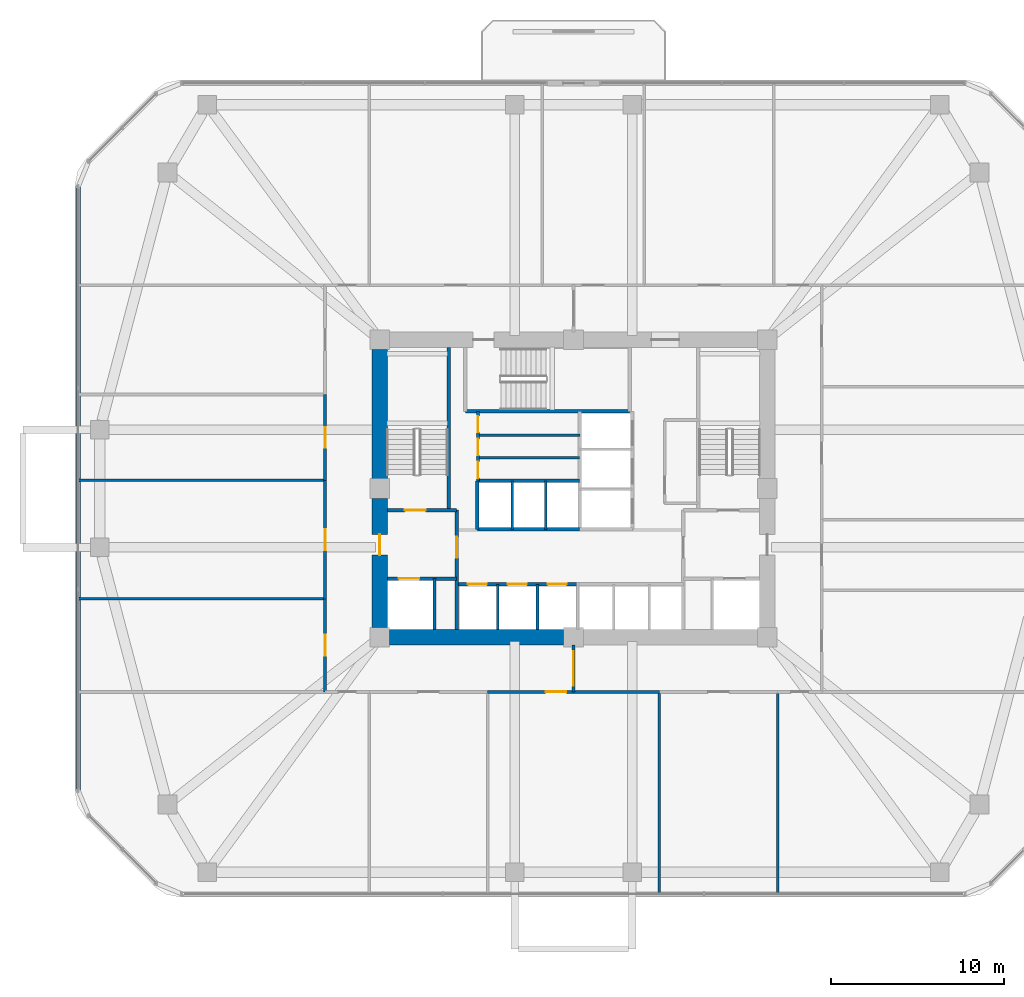
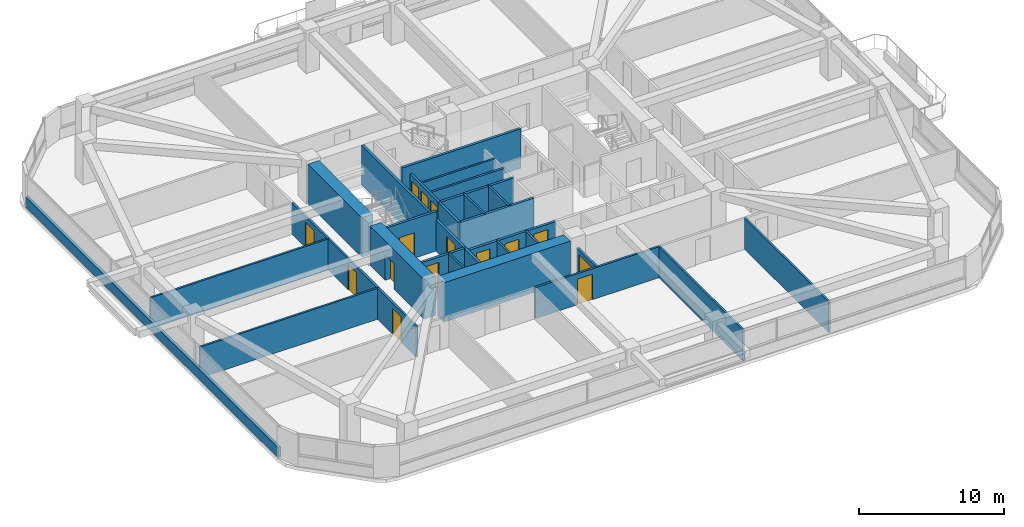
# One storey, part 9 of 14: 30 walls, 15 doors, 15 openings.
"""IFC4 building model written with IfcOpenShell, lengths in metres."""

from ifc_helpers import new_model, si_unit, derived_unit, direction, frame, frame_2d, origin, place, context, subcontext, project, spatial, rectangle, extrude, material, layer, layer_set, type_object, element, fill, save


model = new_model("IFC4")

# Units and contexts
model_context = context("Model", 3, precision=1e-05, world=origin(), true_north=direction((0.0, 1.0)))
body_context = subcontext(model_context, "Body", "Model", "MODEL_VIEW")
ifc_project = project(units=[si_unit("LENGTHUNIT", "METRE"), si_unit("AREAUNIT", "SQUARE_METRE"), si_unit("VOLUMEUNIT", "CUBIC_METRE"), si_unit("PLANEANGLEUNIT", "RADIAN"), si_unit("MASSUNIT", "GRAM", prefix="KILO"), derived_unit("THERMALTRANSMITTANCEUNIT", [(si_unit("POWERUNIT", "WATT"), 1), (si_unit("LENGTHUNIT", "METRE"), -2), (si_unit("THERMODYNAMICTEMPERATUREUNIT", "KELVIN"), -1)])], contexts=[model_context])

# Site, building, storey
site_placement = place(None, origin())
site = spatial("IfcSite", under=ifc_project, at=site_placement, CompositionType="ELEMENT")
building_placement = place(site_placement, origin())
building = spatial("IfcBuilding", under=site, at=building_placement, Name="Koralith Skygarden Medical Center", CompositionType="ELEMENT")
storey_placement = place(building_placement, frame((0.0, 0.0, 45.5400390625)))
storey = spatial("IfcBuildingStorey", under=building, at=storey_placement, Name="L11", CompositionType="ELEMENT", Elevation=45.5400390625)

# Walls
ifc_material_1 = material(Name="Gypsum Board Partition")
ifc_layer_1 = layer(ifc_material_1, 0.14990234375)
ifc_layer_set_1 = layer_set([ifc_layer_1], Name="Gypsum Board Partition")
wall_type_1 = type_object("IfcWallType", Name="Clinical Acoustic Partition 150", PredefinedType="PARTITIONING", material=ifc_layer_set_1)
wall_1_placement = place(storey_placement, frame((31.47998046875, 28.97998046875, 0.0), z_axis=(0.0, 0.0, 1.0), x_axis=(1.0, 0.0, 0.0)))
element("IfcWall", 1, at=wall_1_placement, inside=storey, type_object=wall_type_1, Name="L11 Clinical Acoustic Partition 150 W-CORE-L11-FLEX-H1B", PredefinedType="PARTITIONING", context=body_context, shape_type="SweptSolid", body=[
    extrude(rectangle(XDim=5.89013671875, YDim=0.14990234375, at=frame_2d((2.945068359375, 0.0))), origin(), (0.0, 0.0, 1.0), 2.60986328125),
])
for number, where, z_axis, x_axis, name in (
    (2, (41.964111328125, 14.14990234375, 0.0), (0.0, 0.0, 1.0), (0.0, -1.0, 0.0), "L11 Clinical Acoustic Partition 150 W-PART-L11-S-03"),
    (3, (48.800048828125, 14.14990234375, 0.0), (0.0, 0.0, 1.0), (0.0, -1.0, 0.0), "L11 Clinical Acoustic Partition 150 W-PART-L11-S-04"),
):
    element("IfcWall", number, at=place(storey_placement, frame(where, z_axis=z_axis, x_axis=x_axis)), inside=storey, type_object=wall_type_1, Name=name, PredefinedType="PARTITIONING", context=body_context, shape_type="SweptSolid", body=[
        extrude(rectangle(XDim=11.64990234375, YDim=0.14990234375, at=frame_2d((5.824951171875, 0.0))), origin(), (0.0, 0.0, 1.0), 2.60986328125),
    ])
for number, where, z_axis, x_axis, name in (
    (4, (22.64990234375, 19.527099609375, 0.0), (0.0, 0.0, 1.0), (-1.0, 0.0, 0.0), "L11 Clinical Acoustic Partition 150 W-PART-L11-W-01"),
    (5, (22.64990234375, 26.3701171875, 0.0), (0.0, 0.0, 1.0), (-1.0, 0.0, 0.0), "L11 Clinical Acoustic Partition 150 W-PART-L11-W-02"),
):
    element("IfcWall", number, at=place(storey_placement, frame(where, z_axis=z_axis, x_axis=x_axis)), inside=storey, type_object=wall_type_1, Name=name, PredefinedType="PARTITIONING", context=body_context, shape_type="SweptSolid", body=[
        extrude(rectangle(XDim=14.25, YDim=0.14990234375, at=frame_2d((7.125, 0.0))), origin(), (0.0, 0.0, 1.0), 2.60986328125),
    ])

# Wall, opening, door
ifc_layer_2 = layer(ifc_material_1, 0.1650390625)
ifc_layer_set_2 = layer_set([ifc_layer_2], Name="Gypsum Board Partition")
wall_type_2 = type_object("IfcWallType", Name="Clinical Corridor Partition 165", PredefinedType="PARTITIONING", material=ifc_layer_set_2)
wall_2_placement = place(storey_placement, frame((32.035888671875, 14.14990234375, 0.0), z_axis=(0.0, 0.0, 1.0), x_axis=(1.0, 0.0, 0.0)))
wall_2 = element("IfcWall", 6, at=wall_2_placement, inside=storey, type_object=wall_type_2, Name="L11 Clinical Corridor Partition 165 W-CORR-L11-S-03", PredefinedType="PARTITIONING", context=body_context, shape_type="SweptSolid", body=[
    extrude(rectangle(XDim=9.92822265625, YDim=0.1650390625, at=frame_2d((4.964111328125, 0.0))), origin(), (0.0, 0.0, 1.0), 2.60986328125),
])
opening_1_placement = place(wall_2_placement, frame((3.35791015625, 0.0, 0.0)))
opening_1 = element("IfcOpeningElement", 7, at=opening_1_placement, cuts=wall_2, Name="Opening D-CLN", PredefinedType="OPENING", context=body_context, shape_type="SweptSolid", body=[
    extrude(rectangle(XDim=1.199951171875, YDim=2.14990234375, at=frame_2d((0.60009765625, 1.074951171875))), frame((0.0, 0.092529296875, 0.0), z_axis=(0.0, -1.0, 0.0), x_axis=(1.0, 0.0, 0.0)), (0.0, 0.0, 1.0), 0.18505859375),
])
ifc_material_2 = material(Name="Aluminium 6063-T6", Category="aluminium")
door_type_1 = type_object("IfcDoorType", Name="Clinical Corridor Door D-CLN 1200", OperationType="NOTDEFINED", PredefinedType="DOOR", material=ifc_material_2)
door_1_placement = place(opening_1_placement, frame((1.199951171875, 0.0, 0.0), z_axis=(0.0, 0.0, 1.0), x_axis=(-1.0, 0.0, 0.0)))
door_1 = element("IfcDoor", 8, at=door_1_placement, inside=storey, type_object=door_type_1, Name="L11 Clean Linen Supply Store 08 Door", OperationType="SINGLE_SWING_LEFT", OverallHeight=2.14990234375, OverallWidth=1.199951171875, PredefinedType="DOOR", context=body_context, shape_type="SweptSolid", body=[
    extrude(rectangle(XDim=1.199951171875, YDim=2.14990234375, at=frame_2d((0.60009765625, 1.074951171875))), frame((0.0, 0.02490234375, 0.0), z_axis=(0.0, -1.0, 0.0), x_axis=(1.0, 0.0, 0.0)), (0.0, 0.0, 1.0), 0.050048828125),
])
fill(opening_1, door_1)

wall_3_placement = place(storey_placement, frame((22.64990234375, 14.14990234375, 0.0), z_axis=(0.0, 0.0, 1.0), x_axis=(0.0, 1.0, 0.0)))
wall_3 = element("IfcWall", 9, at=wall_3_placement, inside=storey, type_object=wall_type_2, Name="L11 Clinical Corridor Partition 165 W-CORR-L11-W-01", PredefinedType="PARTITIONING", context=body_context, shape_type="SweptSolid", body=[
    extrude(rectangle(XDim=5.377197265625, YDim=0.1650390625, at=frame_2d((2.6884765625, 0.0))), origin(), (0.0, 0.0, 1.0), 2.60986328125),
])
opening_2_placement = place(wall_3_placement, frame((2.089111328125, 0.0, 0.0)))
opening_2 = element("IfcOpeningElement", 10, at=opening_2_placement, cuts=wall_3, Name="Opening D-CLN", PredefinedType="OPENING", context=body_context, shape_type="SweptSolid", body=[
    extrude(rectangle(XDim=1.199951171875, YDim=2.14990234375, at=frame_2d((0.60009765625, 1.074951171875))), frame((0.0, 0.092529296875, 0.0), z_axis=(0.0, -1.0, 0.0), x_axis=(1.0, 0.0, 0.0)), (0.0, 0.0, 1.0), 0.18505859375),
])
door_2_placement = place(opening_2_placement, frame((1.199951171875, 0.0, 0.0), z_axis=(0.0, 0.0, 1.0), x_axis=(-1.0, 0.0, 0.0)))
door_2 = element("IfcDoor", 11, at=door_2_placement, inside=storey, type_object=door_type_1, Name="L11 Outpatient Triage Exam Room 11 Door", OperationType="SINGLE_SWING_RIGHT", OverallHeight=2.14990234375, OverallWidth=1.199951171875, PredefinedType="DOOR", context=body_context, shape_type="SweptSolid", body=[
    extrude(rectangle(XDim=1.199951171875, YDim=2.14990234375, at=frame_2d((0.60009765625, 1.074951171875))), frame((0.0, 0.02490234375, 0.0), z_axis=(0.0, -1.0, 0.0), x_axis=(1.0, 0.0, 0.0)), (0.0, 0.0, 1.0), 0.050048828125),
])
fill(opening_2, door_2)

wall_4_placement = place(storey_placement, frame((22.64990234375, 19.527099609375, 0.0), z_axis=(0.0, 0.0, 1.0), x_axis=(0.0, 1.0, 0.0)))
wall_4 = element("IfcWall", 12, at=wall_4_placement, inside=storey, type_object=wall_type_2, Name="L11 Clinical Corridor Partition 165 W-CORR-L11-W-02", PredefinedType="PARTITIONING", context=body_context, shape_type="SweptSolid", body=[
    extrude(rectangle(XDim=6.843017578125, YDim=0.1650390625, at=frame_2d((3.42138671875, 0.0))), origin(), (0.0, 0.0, 1.0), 2.60986328125),
])
opening_3_placement = place(wall_4_placement, frame((2.821044921875, 0.0, 0.0)))
opening_3 = element("IfcOpeningElement", 13, at=opening_3_placement, cuts=wall_4, Name="Opening D-CLN", PredefinedType="OPENING", context=body_context, shape_type="SweptSolid", body=[
    extrude(rectangle(XDim=1.199951171875, YDim=2.14990234375, at=frame_2d((0.60009765625, 1.074951171875))), frame((0.0, 0.092529296875, 0.0), z_axis=(0.0, -1.0, 0.0), x_axis=(1.0, 0.0, 0.0)), (0.0, 0.0, 1.0), 0.18505859375),
])
door_3_placement = place(opening_3_placement, frame((1.199951171875, 0.0, 0.0), z_axis=(0.0, 0.0, 1.0), x_axis=(-1.0, 0.0, 0.0)))
door_3 = element("IfcDoor", 14, at=door_3_placement, inside=storey, type_object=door_type_1, Name="L11 Clean Linen Supply Store 12 Door", OperationType="SINGLE_SWING_LEFT", OverallHeight=2.14990234375, OverallWidth=1.199951171875, PredefinedType="DOOR", context=body_context, shape_type="SweptSolid", body=[
    extrude(rectangle(XDim=1.199951171875, YDim=2.14990234375, at=frame_2d((0.60009765625, 1.074951171875))), frame((0.0, 0.02490234375, 0.0), z_axis=(0.0, -1.0, 0.0), x_axis=(1.0, 0.0, 0.0)), (0.0, 0.0, 1.0), 0.050048828125),
])
fill(opening_3, door_3)

wall_5_placement = place(storey_placement, frame((22.64990234375, 26.3701171875, 0.0), z_axis=(0.0, 0.0, 1.0), x_axis=(0.0, 1.0, 0.0)))
wall_5 = element("IfcWall", 15, at=wall_5_placement, inside=storey, type_object=wall_type_2, Name="L11 Clinical Corridor Partition 165 W-CORR-L11-W-03", PredefinedType="PARTITIONING", context=body_context, shape_type="SweptSolid", body=[
    extrude(rectangle(XDim=4.962890625, YDim=0.1650390625, at=frame_2d((2.4814453125, 0.0))), origin(), (0.0, 0.0, 1.0), 2.60986328125),
])
opening_4_placement = place(wall_5_placement, frame((1.881103515625, 0.0, 0.0)))
opening_4 = element("IfcOpeningElement", 16, at=opening_4_placement, cuts=wall_5, Name="Opening D-CLN", PredefinedType="OPENING", context=body_context, shape_type="SweptSolid", body=[
    extrude(rectangle(XDim=1.199951171875, YDim=2.14990234375, at=frame_2d((0.60009765625, 1.074951171875))), frame((0.0, 0.092529296875, 0.0), z_axis=(0.0, -1.0, 0.0), x_axis=(1.0, 0.0, 0.0)), (0.0, 0.0, 1.0), 0.18505859375),
])
door_4_placement = place(opening_4_placement, frame((1.199951171875, 0.0, 0.0), z_axis=(0.0, 0.0, 1.0), x_axis=(-1.0, 0.0, 0.0)))
door_4 = element("IfcDoor", 17, at=door_4_placement, inside=storey, type_object=door_type_1, Name="L11 Clinical Consultation Office 13 Door", OperationType="SINGLE_SWING_RIGHT", OverallHeight=2.14990234375, OverallWidth=1.199951171875, PredefinedType="DOOR", context=body_context, shape_type="SweptSolid", body=[
    extrude(rectangle(XDim=1.199951171875, YDim=2.14990234375, at=frame_2d((0.60009765625, 1.074951171875))), frame((0.0, 0.02490234375, 0.0), z_axis=(0.0, -1.0, 0.0), x_axis=(1.0, 0.0, 0.0)), (0.0, 0.0, 1.0), 0.050048828125),
])
fill(opening_4, door_4)

ifc_layer_3 = layer(ifc_material_1, 0.199951171875)
ifc_layer_set_3 = layer_set([ifc_layer_3], Name="Gypsum Board Partition")
wall_type_3 = type_object("IfcWallType", Name="Fire Shaft Wall 200", PredefinedType="SOLIDWALL", material=ifc_layer_set_3)
wall_6_placement = place(storey_placement, frame((26.25, 20.699951171875, 0.0), z_axis=(0.0, 0.0, 1.0), x_axis=(1.0, 0.0, 0.0)))
wall_6 = element("IfcWall", 18, at=wall_6_placement, inside=storey, type_object=wall_type_3, Name="L11 Fire Shaft Wall 200 W-CORE-L11-FF1-N", PredefinedType="SOLIDWALL", context=body_context, shape_type="SweptSolid", body=[
    extrude(rectangle(XDim=4.0, YDim=0.199951171875, at=frame_2d((2.0, 0.0))), origin(), (0.0, 0.0, 1.0), 2.60986328125),
])
opening_5_placement = place(wall_6_placement, frame((0.64990234375, 0.0, 0.0)))
opening_5 = element("IfcOpeningElement", 19, at=opening_5_placement, cuts=wall_6, Name="Opening LD-FF", PredefinedType="OPENING", context=body_context, shape_type="SweptSolid", body=[
    extrude(rectangle(XDim=1.199951171875, YDim=2.14990234375, at=frame_2d((0.60009765625, 1.074951171875))), frame((0.0, 0.10986328125, 0.0), z_axis=(0.0, -1.0, 0.0), x_axis=(1.0, 0.0, 0.0)), (0.0, 0.0, 1.0), 0.219970703125),
])
ifc_material_3 = material(Name="Steel ASTM A500 Grade C", Category="steel")
door_type_2 = type_object("IfcDoorType", Name="Fire Lift Sliding Landing Door LD-FF 1200", OperationType="NOTDEFINED", PredefinedType="DOOR", material=ifc_material_3)
door_5_placement = place(opening_5_placement, origin())
door_5 = element("IfcDoor", 20, at=door_5_placement, inside=storey, type_object=door_type_2, Name="L11 Fire Service Elevator FF1 Landing Door", OperationType="SLIDING_TO_LEFT", OverallHeight=2.14990234375, OverallWidth=1.199951171875, PredefinedType="DOOR", context=body_context, shape_type="SweptSolid", body=[
    extrude(rectangle(XDim=1.199951171875, YDim=2.14990234375, at=frame_2d((0.60009765625, 1.074951171875))), frame((0.0, 0.02490234375, 0.0), z_axis=(0.0, -1.0, 0.0), x_axis=(1.0, 0.0, 0.0)), (0.0, 0.0, 1.0), 0.050048828125),
])
fill(opening_5, door_5)

wall_7_placement = place(storey_placement, frame((30.25, 17.75, 0.0), z_axis=(0.0, 0.0, 1.0), x_axis=(0.0, 1.0, 0.0)))
wall_7 = element("IfcWall", 21, at=wall_7_placement, inside=storey, type_object=wall_type_3, Name="L11 Fire Shaft Wall 200 W-CORE-L11-FSAEW-E", PredefinedType="SOLIDWALL", context=body_context, shape_type="SweptSolid", body=[
    extrude(rectangle(XDim=6.89990234375, YDim=0.199951171875, at=frame_2d((3.449951171875, 0.0))), origin(), (0.0, 0.0, 1.0), 2.60986328125),
])
opening_6_placement = place(wall_7_placement, frame((4.14990234375, 0.0, 0.0)))
opening_6 = element("IfcOpeningElement", 22, at=opening_6_placement, cuts=wall_7, Name="Opening D-ST60", PredefinedType="OPENING", context=body_context, shape_type="SweptSolid", body=[
    extrude(rectangle(XDim=1.199951171875, YDim=2.14990234375, at=frame_2d((0.60009765625, 1.074951171875))), frame((0.0, 0.10986328125, 0.0), z_axis=(0.0, -1.0, 0.0), x_axis=(1.0, 0.0, 0.0)), (0.0, 0.0, 1.0), 0.219970703125),
])
door_type_3 = type_object("IfcDoorType", Name="Smokeproof Stair Fire Door FD60S 1200", OperationType="NOTDEFINED", PredefinedType="DOOR", material=ifc_material_3)
door_6_placement = place(opening_6_placement, origin())
door_6 = element("IfcDoor", 23, at=door_6_placement, inside=storey, type_object=door_type_3, Name="L11 West Firefighting Lobby Inner Fire Door", OperationType="SINGLE_SWING_LEFT", OverallHeight=2.14990234375, OverallWidth=1.199951171875, PredefinedType="DOOR", context=body_context, shape_type="SweptSolid", body=[
    extrude(rectangle(XDim=1.199951171875, YDim=2.14990234375, at=frame_2d((0.60009765625, 1.074951171875))), frame((0.0, 0.02490234375, 0.0), z_axis=(0.0, -1.0, 0.0), x_axis=(1.0, 0.0, 0.0)), (0.0, 0.0, 1.0), 0.050048828125),
])
fill(opening_6, door_6)

# Wall, openings, doors
wall_8_placement = place(storey_placement, frame((30.25, 20.360107421875, 0.0), z_axis=(0.0, 0.0, 1.0), x_axis=(1.0, 0.0, 0.0)))
wall_8 = element("IfcWall", 24, at=wall_8_placement, inside=storey, type_object=wall_type_3, Name="L11 Fire Shaft Wall 200 W-CORE-L11-PL-N", PredefinedType="SOLIDWALL", context=body_context, shape_type="SweptSolid", body=[
    extrude(rectangle(XDim=7.0, YDim=0.199951171875, at=frame_2d((3.5, 0.0))), origin(), (0.0, 0.0, 1.0), 2.60986328125),
])
opening_7_placement = place(wall_8_placement, frame((0.64990234375, 0.0, 0.0)))
opening_7 = element("IfcOpeningElement", 25, at=opening_7_placement, cuts=wall_8, Name="Opening LD-P", PredefinedType="OPENING", context=body_context, shape_type="SweptSolid", body=[
    extrude(rectangle(XDim=1.10009765625, YDim=2.14990234375, at=frame_2d((0.550048828125, 1.074951171875))), frame((0.0, 0.10986328125, 0.0), z_axis=(0.0, -1.0, 0.0), x_axis=(1.0, 0.0, 0.0)), (0.0, 0.0, 1.0), 0.219970703125),
])
opening_8_placement = place(wall_8_placement, frame((2.949951171875, 0.0, 0.0)))
opening_8 = element("IfcOpeningElement", 26, at=opening_8_placement, cuts=wall_8, Name="Opening LD-P", PredefinedType="OPENING", context=body_context, shape_type="SweptSolid", body=[
    extrude(rectangle(XDim=1.10009765625, YDim=2.14990234375, at=frame_2d((0.550048828125, 1.074951171875))), frame((0.0, 0.10986328125, 0.0), z_axis=(0.0, -1.0, 0.0), x_axis=(1.0, 0.0, 0.0)), (0.0, 0.0, 1.0), 0.219970703125),
])
opening_9_placement = place(wall_8_placement, frame((5.25, 0.0, 0.0)))
opening_9 = element("IfcOpeningElement", 27, at=opening_9_placement, cuts=wall_8, Name="Opening LD-P", PredefinedType="OPENING", context=body_context, shape_type="SweptSolid", body=[
    extrude(rectangle(XDim=1.10009765625, YDim=2.14990234375, at=frame_2d((0.550048828125, 1.074951171875))), frame((0.0, 0.10986328125, 0.0), z_axis=(0.0, -1.0, 0.0), x_axis=(1.0, 0.0, 0.0)), (0.0, 0.0, 1.0), 0.219970703125),
])
door_type_4 = type_object("IfcDoorType", Name="Passenger Lift Sliding Landing Door LD-P 1100", OperationType="NOTDEFINED", PredefinedType="DOOR", material=ifc_material_3)
door_7_placement = place(opening_7_placement, origin())
door_7 = element("IfcDoor", 28, at=door_7_placement, inside=storey, type_object=door_type_4, Name="L11 Passenger Elevator PL1 Landing Door", OperationType="SLIDING_TO_LEFT", OverallHeight=2.14990234375, OverallWidth=1.10009765625, PredefinedType="DOOR", context=body_context, shape_type="SweptSolid", body=[
    extrude(rectangle(XDim=1.10009765625, YDim=2.14990234375, at=frame_2d((0.550048828125, 1.074951171875))), frame((0.0, 0.02490234375, 0.0), z_axis=(0.0, -1.0, 0.0), x_axis=(1.0, 0.0, 0.0)), (0.0, 0.0, 1.0), 0.050048828125),
])
fill(opening_7, door_7)
door_8_placement = place(opening_8_placement, origin())
door_8 = element("IfcDoor", 29, at=door_8_placement, inside=storey, type_object=door_type_4, Name="L11 Passenger Elevator PL2 Landing Door", OperationType="SLIDING_TO_LEFT", OverallHeight=2.14990234375, OverallWidth=1.10009765625, PredefinedType="DOOR", context=body_context, shape_type="SweptSolid", body=[
    extrude(rectangle(XDim=1.10009765625, YDim=2.14990234375, at=frame_2d((0.550048828125, 1.074951171875))), frame((0.0, 0.02490234375, 0.0), z_axis=(0.0, -1.0, 0.0), x_axis=(1.0, 0.0, 0.0)), (0.0, 0.0, 1.0), 0.050048828125),
])
fill(opening_8, door_8)
door_9_placement = place(opening_9_placement, origin())
door_9 = element("IfcDoor", 30, at=door_9_placement, inside=storey, type_object=door_type_4, Name="L11 Passenger Elevator PL3 Landing Door", OperationType="SLIDING_TO_LEFT", OverallHeight=2.14990234375, OverallWidth=1.10009765625, PredefinedType="DOOR", context=body_context, shape_type="SweptSolid", body=[
    extrude(rectangle(XDim=1.10009765625, YDim=2.14990234375, at=frame_2d((0.550048828125, 1.074951171875))), frame((0.0, 0.02490234375, 0.0), z_axis=(0.0, -1.0, 0.0), x_axis=(1.0, 0.0, 0.0)), (0.0, 0.0, 1.0), 0.050048828125),
])
fill(opening_9, door_9)

# Walls
for number, where, z_axis, x_axis, name in (
    (31, (31.449951171875, 23.5400390625, 0.0), (0.0, 0.0, 1.0), (1.0, 0.0, 0.0), "L11 Fire Shaft Wall 200 W-CORE-L11-PH-S"),
    (32, (31.449951171875, 26.35009765625, 0.0), (0.0, 0.0, 1.0), (1.0, 0.0, 0.0), "L11 Fire Shaft Wall 200 W-CORE-L11-PH-N"),
):
    element("IfcWall", number, at=place(storey_placement, frame(where, z_axis=z_axis, x_axis=x_axis)), inside=storey, type_object=wall_type_3, Name=name, PredefinedType="SOLIDWALL", context=body_context, shape_type="SweptSolid", body=[
        extrude(rectangle(XDim=5.900146484375, YDim=0.199951171875, at=frame_2d((2.9501953125, 0.0))), origin(), (0.0, 0.0, 1.0), 2.60986328125),
    ])
wall_9_placement = place(storey_placement, frame((31.449951171875, 23.5400390625, 0.0), z_axis=(0.0, 0.0, 1.0), x_axis=(0.0, 1.0, 0.0)))
element("IfcWall", 33, at=wall_9_placement, inside=storey, type_object=wall_type_3, Name="L11 Fire Shaft Wall 200 W-CORE-L11-PH-W", PredefinedType="SOLIDWALL", context=body_context, shape_type="SweptSolid", body=[
    extrude(rectangle(XDim=2.81005859375, YDim=0.199951171875, at=frame_2d((1.405029296875, 0.0))), origin(), (0.0, 0.0, 1.0), 2.60986328125),
])

# Wall, opening, door
ifc_layer_4 = layer(ifc_material_1, 0.179931640625)
ifc_layer_set_4 = layer_set([ifc_layer_4], Name="Gypsum Board Partition")
wall_type_4 = type_object("IfcWallType", Name="Group I-2 Smoke Barrier Wall 180", PredefinedType="PARTITIONING", material=ifc_layer_set_4)
wall_10_placement = place(storey_placement, frame((37.0, 14.14990234375, 0.0), z_axis=(0.0, 0.0, 1.0), x_axis=(0.0, 1.0, 0.0)))
wall_10 = element("IfcWall", 34, at=wall_10_placement, inside=storey, type_object=wall_type_4, Name="L11 Group I-2 Smoke Barrier Wall 180 W-SMK-L11-S", PredefinedType="PARTITIONING", context=body_context, shape_type="SweptSolid", body=[
    extrude(rectangle(XDim=2.7001953125, YDim=0.179931640625, at=frame_2d((1.35009765625, 0.0))), origin(), (0.0, 0.0, 1.0), 2.60986328125),
])
opening_10_placement = place(wall_10_placement, frame((0.35009765625, 0.0, 0.0)))
opening_10 = element("IfcOpeningElement", 35, at=opening_10_placement, cuts=wall_10, Name="Opening D-SMK", PredefinedType="OPENING", context=body_context, shape_type="SweptSolid", body=[
    extrude(rectangle(XDim=2.0, YDim=2.199951171875, at=frame_2d((1.0, 1.10009765625))), frame((0.0, 0.099853515625, 0.0), z_axis=(0.0, -1.0, 0.0), x_axis=(1.0, 0.0, 0.0)), (0.0, 0.0, 1.0), 0.199951171875),
])
door_type_5 = type_object("IfcDoorType", Name="Cross-Corridor Double Smoke Door FD60S 2000", OperationType="NOTDEFINED", PredefinedType="DOOR", material=ifc_material_3)
door_10_placement = place(opening_10_placement, frame((2.0, 0.0, 0.0), z_axis=(0.0, 0.0, 1.0), x_axis=(-1.0, 0.0, 0.0)))
door_10 = element("IfcDoor", 36, at=door_10_placement, inside=storey, type_object=door_type_5, Name="L11 S Smoke Compartment Cross-Corridor Door", OperationType="DOUBLE_DOOR_SINGLE_SWING", OverallHeight=2.199951171875, OverallWidth=2.0, PredefinedType="DOOR", context=body_context, shape_type="SweptSolid", body=[
    extrude(rectangle(XDim=2.0, YDim=2.199951171875, at=frame_2d((1.0, 1.10009765625))), frame((0.0, 0.02490234375, 0.0), z_axis=(0.0, -1.0, 0.0), x_axis=(1.0, 0.0, 0.0)), (0.0, 0.0, 1.0), 0.050048828125),
])
fill(opening_10, door_10)

# Walls
ifc_material_4 = material(Name="Warm Oolitic Limestone Cladding", Category="masonry")
ifc_layer_5 = layer(ifc_material_4, 0.239990234375)
ifc_layer_set_5 = layer_set([ifc_layer_5], Name="Warm Oolitic Limestone Cladding")
wall_type_5 = type_object("IfcWallType", Name="Limestone Spandrel Sill Backup Wall 240", PredefinedType="SOLIDWALL", material=ifc_layer_set_5)
wall_11_placement = place(storey_placement, frame((8.3798828125, 43.344970703125, 0.0), z_axis=(0.0, 0.0, 1.0), x_axis=(0.0, -1.0, 0.0)))
element("IfcWall", 37, at=wall_11_placement, inside=storey, type_object=wall_type_5, Name="L11 Sill Spandrel W", PredefinedType="SOLIDWALL", context=body_context, shape_type="SweptSolid", body=[
    extrude(rectangle(XDim=34.889892578125, YDim=0.239990234375, at=frame_2d((17.44482421875, 0.0))), origin(), (0.0, 0.0, 1.0), 0.849853515625),
])
ifc_material_5 = material(Name="Concrete C70/85", Category="concrete")
ifc_layer_6 = layer(ifc_material_5, 0.89990234375)
ifc_layer_set_6 = layer_set([ifc_layer_6], Name="Concrete C70/85")
wall_type_6 = type_object("IfcWallType", Name="Lower Core Shear Wall 900", PredefinedType="SHEAR", material=ifc_layer_set_6)
wall_12_placement = place(storey_placement, frame((26.364990234375, 17.300048828125, 0.0), z_axis=(0.0, 0.0, 1.0), x_axis=(1.0, 0.0, 0.0)))
element("IfcWall", 38, at=wall_12_placement, inside=storey, type_object=wall_type_6, Name="L11 Core Shear Wall Segment 1", PredefinedType="SHEAR", context=body_context, shape_type="SweptSolid", body=[
    extrude(rectangle(XDim=10.070068359375, YDim=0.89990234375, at=frame_2d((5.03515625, 0.0))), origin(), (0.0, 0.0, 1.0), 3.320068359375),
])
wall_13_placement = place(storey_placement, frame((25.800048828125, 33.93505859375, 0.0), z_axis=(0.0, 0.0, 1.0), x_axis=(0.0, -1.0, 0.0)))
element("IfcWall", 39, at=wall_13_placement, inside=storey, type_object=wall_type_6, Name="L11 Core Shear Wall Segment 7", PredefinedType="SHEAR", context=body_context, shape_type="SweptSolid", body=[
    extrude(rectangle(XDim=7.469970703125, YDim=0.89990234375, at=frame_2d((3.73486328125, 0.0))), origin(), (0.0, 0.0, 1.0), 3.320068359375),
])

# Wall, opening, door
wall_14_placement = place(storey_placement, frame((25.800048828125, 25.3349609375, 0.0), z_axis=(0.0, 0.0, 1.0), x_axis=(0.0, -1.0, 0.0)))
wall_14 = element("IfcWall", 40, at=wall_14_placement, inside=storey, type_object=wall_type_6, Name="L11 Core Shear Wall Segment 8", PredefinedType="SHEAR", context=body_context, shape_type="SweptSolid", body=[
    extrude(rectangle(XDim=7.469970703125, YDim=0.89990234375, at=frame_2d((3.73486328125, 0.0))), origin(), (0.0, 0.0, 1.0), 3.320068359375),
])
opening_11_placement = place(wall_14_placement, frame((2.0849609375, 0.0, 0.0)))
opening_11 = element("IfcOpeningElement", 41, at=opening_11_placement, cuts=wall_14, Name="Opening D-ST60", PredefinedType="OPENING", context=body_context, shape_type="SweptSolid", body=[
    extrude(rectangle(XDim=1.199951171875, YDim=2.14990234375, at=frame_2d((0.60009765625, 1.074951171875))), frame((0.0, 0.4599609375, 0.0), z_axis=(0.0, -1.0, 0.0), x_axis=(1.0, 0.0, 0.0)), (0.0, 0.0, 1.0), 0.919921875),
])
door_11_placement = place(opening_11_placement, frame((1.199951171875, 0.0, 0.0), z_axis=(0.0, 0.0, 1.0), x_axis=(-1.0, 0.0, 0.0)))
door_11 = element("IfcDoor", 42, at=door_11_placement, inside=storey, type_object=door_type_3, Name="L11 West Corridor to Firefighting Lobby Door", OperationType="SINGLE_SWING_LEFT", OverallHeight=2.14990234375, OverallWidth=1.199951171875, PredefinedType="DOOR", context=body_context, shape_type="SweptSolid", body=[
    extrude(rectangle(XDim=1.199951171875, YDim=2.14990234375, at=frame_2d((0.60009765625, 1.074951171875))), frame((0.0, 0.02490234375, 0.0), z_axis=(0.0, -1.0, 0.0), x_axis=(1.0, 0.0, 0.0)), (0.0, 0.0, 1.0), 0.050048828125),
])
fill(opening_11, door_11)

# Wall, openings, doors
ifc_layer_7 = layer(ifc_material_1, 0.1650390625)
ifc_layer_set_7 = layer_set([ifc_layer_7], Name="Gypsum Board Partition")
wall_type_7 = type_object("IfcWallType", Name="Plumbing Wet Wall 165", PredefinedType="PLUMBINGWALL", material=ifc_layer_set_7)
wall_15_placement = place(storey_placement, frame((31.47998046875, 26.320068359375, 0.0), z_axis=(0.0, 0.0, 1.0), x_axis=(0.0, 1.0, 0.0)))
wall_15 = element("IfcWall", 43, at=wall_15_placement, inside=storey, type_object=wall_type_7, Name="L11 Plumbing Wet Wall 165 W-CORE-L11-FLEX-W", PredefinedType="PLUMBINGWALL", context=body_context, shape_type="SweptSolid", body=[
    extrude(rectangle(XDim=4.0400390625, YDim=0.1650390625, at=frame_2d((2.02001953125, 0.0))), origin(), (0.0, 0.0, 1.0), 2.60986328125),
])
opening_12_placement = place(wall_15_placement, frame((0.179931640625, 0.0, 0.0)))
opening_12 = element("IfcOpeningElement", 44, at=opening_12_placement, cuts=wall_15, Name="Opening D-WC", PredefinedType="OPENING", context=body_context, shape_type="SweptSolid", body=[
    extrude(rectangle(XDim=0.949951171875, YDim=2.10009765625, at=frame_2d((0.47509765625, 1.050048828125))), frame((0.0, 0.092529296875, 0.0), z_axis=(0.0, -1.0, 0.0), x_axis=(1.0, 0.0, 0.0)), (0.0, 0.0, 1.0), 0.18505859375),
])
opening_13_placement = place(wall_15_placement, frame((1.5, 0.0, 0.0)))
opening_13 = element("IfcOpeningElement", 45, at=opening_13_placement, cuts=wall_15, Name="Opening D-WC", PredefinedType="OPENING", context=body_context, shape_type="SweptSolid", body=[
    extrude(rectangle(XDim=0.949951171875, YDim=2.10009765625, at=frame_2d((0.47509765625, 1.050048828125))), frame((0.0, 0.092529296875, 0.0), z_axis=(0.0, -1.0, 0.0), x_axis=(1.0, 0.0, 0.0)), (0.0, 0.0, 1.0), 0.18505859375),
])
opening_14_placement = place(wall_15_placement, frame((2.820068359375, 0.0, 0.0)))
opening_14 = element("IfcOpeningElement", 46, at=opening_14_placement, cuts=wall_15, Name="Opening D-WC", PredefinedType="OPENING", context=body_context, shape_type="SweptSolid", body=[
    extrude(rectangle(XDim=0.949951171875, YDim=2.10009765625, at=frame_2d((0.47509765625, 1.050048828125))), frame((0.0, 0.092529296875, 0.0), z_axis=(0.0, -1.0, 0.0), x_axis=(1.0, 0.0, 0.0)), (0.0, 0.0, 1.0), 0.18505859375),
])
door_type_6 = type_object("IfcDoorType", Name="Accessible Toilet Door D-WC 950", OperationType="NOTDEFINED", PredefinedType="DOOR", material=ifc_material_2)
door_12_placement = place(opening_12_placement, frame((0.949951171875, 0.0, 0.0), z_axis=(0.0, 0.0, 1.0), x_axis=(-1.0, 0.0, 0.0)))
door_12 = element("IfcDoor", 47, at=door_12_placement, inside=storey, type_object=door_type_6, Name="L11 Core Accessible WC Door", OperationType="SINGLE_SWING_LEFT", OverallHeight=2.10009765625, OverallWidth=0.949951171875, PredefinedType="DOOR", context=body_context, shape_type="SweptSolid", body=[
    extrude(rectangle(XDim=0.949951171875, YDim=2.10009765625, at=frame_2d((0.47509765625, 1.050048828125))), frame((0.0, 0.02490234375, 0.0), z_axis=(0.0, -1.0, 0.0), x_axis=(1.0, 0.0, 0.0)), (0.0, 0.0, 1.0), 0.050048828125),
])
fill(opening_12, door_12)
door_13_placement = place(opening_13_placement, frame((0.949951171875, 0.0, 0.0), z_axis=(0.0, 0.0, 1.0), x_axis=(-1.0, 0.0, 0.0)))
door_13 = element("IfcDoor", 48, at=door_13_placement, inside=storey, type_object=door_type_6, Name="L11 Staff Pantry Door", OperationType="SINGLE_SWING_LEFT", OverallHeight=2.10009765625, OverallWidth=0.949951171875, PredefinedType="DOOR", context=body_context, shape_type="SweptSolid", body=[
    extrude(rectangle(XDim=0.949951171875, YDim=2.10009765625, at=frame_2d((0.47509765625, 1.050048828125))), frame((0.0, 0.02490234375, 0.0), z_axis=(0.0, -1.0, 0.0), x_axis=(1.0, 0.0, 0.0)), (0.0, 0.0, 1.0), 0.050048828125),
])
fill(opening_13, door_13)
door_14_placement = place(opening_14_placement, frame((0.949951171875, 0.0, 0.0), z_axis=(0.0, 0.0, 1.0), x_axis=(-1.0, 0.0, 0.0)))
door_14 = element("IfcDoor", 49, at=door_14_placement, inside=storey, type_object=door_type_6, Name="L11 IT Comms Door", OperationType="SINGLE_SWING_RIGHT", OverallHeight=2.10009765625, OverallWidth=0.949951171875, PredefinedType="DOOR", context=body_context, shape_type="SweptSolid", body=[
    extrude(rectangle(XDim=0.949951171875, YDim=2.10009765625, at=frame_2d((0.47509765625, 1.050048828125))), frame((0.0, 0.02490234375, 0.0), z_axis=(0.0, -1.0, 0.0), x_axis=(1.0, 0.0, 0.0)), (0.0, 0.0, 1.0), 0.050048828125),
])
fill(opening_14, door_14)

# Walls
wall_16_placement = place(storey_placement, frame((31.47998046875, 27.679931640625, 0.0), z_axis=(0.0, 0.0, 1.0), x_axis=(1.0, 0.0, 0.0)))
element("IfcWall", 50, at=wall_16_placement, inside=storey, type_object=wall_type_7, Name="L11 Plumbing Wet Wall 165 W-CORE-L11-FLEX-H1A", PredefinedType="PLUMBINGWALL", context=body_context, shape_type="SweptSolid", body=[
    extrude(rectangle(XDim=5.8701171875, YDim=0.1650390625, at=frame_2d((2.93505859375, 0.0))), origin(), (0.0, 0.0, 1.0), 2.60986328125),
])
ifc_layer_8 = layer(ifc_material_1, 0.14990234375)
ifc_layer_set_8 = layer_set([ifc_layer_8], Name="Gypsum Board Partition")
wall_type_8 = type_object("IfcWallType", Name="Shaft Partition Wall 150", PredefinedType="PARTITIONING", material=ifc_layer_set_8)
wall_17_placement = place(storey_placement, frame((28.969970703125, 17.75, 0.0), z_axis=(0.0, 0.0, 1.0), x_axis=(0.0, 1.0, 0.0)))
element("IfcWall", 51, at=wall_17_placement, inside=storey, type_object=wall_type_8, Name="L11 Shaft Partition Wall 150 W-CORE-L11-RSRW-DIV", PredefinedType="PARTITIONING", context=body_context, shape_type="SweptSolid", body=[
    extrude(rectangle(XDim=2.949951171875, YDim=0.14990234375, at=frame_2d((1.47509765625, 0.0))), origin(), (0.0, 0.0, 1.0), 2.60986328125),
])
for number, where, z_axis, x_axis, name in (
    (52, (32.6201171875, 17.75, 0.0), (0.0, 0.0, 1.0), (0.0, 1.0, 0.0), "L11 Shaft Partition Wall 150 W-CORE-L11-PL-D1"),
    (53, (34.919921875, 17.75, 0.0), (0.0, 0.0, 1.0), (0.0, 1.0, 0.0), "L11 Shaft Partition Wall 150 W-CORE-L11-PL-D2"),
):
    element("IfcWall", number, at=place(storey_placement, frame(where, z_axis=z_axis, x_axis=x_axis)), inside=storey, type_object=wall_type_8, Name=name, PredefinedType="PARTITIONING", context=body_context, shape_type="SweptSolid", body=[
        extrude(rectangle(XDim=2.610107421875, YDim=0.14990234375, at=frame_2d((1.30517578125, 0.0))), origin(), (0.0, 0.0, 1.0), 2.60986328125),
    ])
for number, where, z_axis, x_axis, name in (
    (54, (33.449951171875, 23.5400390625, 0.0), (0.0, 0.0, 1.0), (0.0, 1.0, 0.0), "L11 Shaft Partition Wall 150 W-CORE-L11-PH-D1"),
    (55, (35.39990234375, 23.5400390625, 0.0), (0.0, 0.0, 1.0), (0.0, 1.0, 0.0), "L11 Shaft Partition Wall 150 W-CORE-L11-PH-D2"),
):
    element("IfcWall", number, at=place(storey_placement, frame(where, z_axis=z_axis, x_axis=x_axis)), inside=storey, type_object=wall_type_8, Name=name, PredefinedType="PARTITIONING", context=body_context, shape_type="SweptSolid", body=[
        extrude(rectangle(XDim=2.81005859375, YDim=0.14990234375, at=frame_2d((1.405029296875, 0.0))), origin(), (0.0, 0.0, 1.0), 2.60986328125),
    ])
ifc_material_6 = material(Name="Concrete C45/55", Category="concrete")
ifc_layer_9 = layer(ifc_material_6, 0.199951171875)
ifc_layer_set_9 = layer_set([ifc_layer_9], Name="Concrete C45/55")
wall_type_9 = type_object("IfcWallType", Name="Structural Stair Shaft Wall 200", PredefinedType="SHEAR", material=ifc_layer_set_9)
wall_18_placement = place(storey_placement, frame((29.800048828125, 24.64990234375, 0.0), z_axis=(0.0, 0.0, 1.0), x_axis=(0.0, 1.0, 0.0)))
element("IfcWall", 56, at=wall_18_placement, inside=storey, type_object=wall_type_9, Name="L11 Structural Stair Shaft Wall 200 W-CORE-L11-ST1-E", PredefinedType="SHEAR", context=body_context, shape_type="SweptSolid", body=[
    extrude(rectangle(XDim=9.400146484375, YDim=0.199951171875, at=frame_2d((4.7001953125, 0.0))), origin(), (0.0, 0.0, 1.0), 3.320068359375),
])

# Wall, opening, door
wall_19_placement = place(storey_placement, frame((26.25, 24.64990234375, 0.0), z_axis=(0.0, 0.0, 1.0), x_axis=(1.0, 0.0, 0.0)))
wall_19 = element("IfcWall", 57, at=wall_19_placement, inside=storey, type_object=wall_type_9, Name="L11 Structural Stair Shaft Wall 200 W-CORE-L11-ST1-S", PredefinedType="SHEAR", context=body_context, shape_type="SweptSolid", body=[
    extrude(rectangle(XDim=4.0, YDim=0.199951171875, at=frame_2d((2.0, 0.0))), origin(), (0.0, 0.0, 1.0), 3.320068359375),
])
opening_15_placement = place(wall_19_placement, frame((1.0, 0.0, 0.0)))
opening_15 = element("IfcOpeningElement", 58, at=opening_15_placement, cuts=wall_19, Name="Opening D-ST60", PredefinedType="OPENING", context=body_context, shape_type="SweptSolid", body=[
    extrude(rectangle(XDim=1.199951171875, YDim=2.14990234375, at=frame_2d((0.60009765625, 1.074951171875))), frame((0.0, 0.10986328125, 0.0), z_axis=(0.0, -1.0, 0.0), x_axis=(1.0, 0.0, 0.0)), (0.0, 0.0, 1.0), 0.219970703125),
])
door_15_placement = place(opening_15_placement, origin())
door_15 = element("IfcDoor", 59, at=door_15_placement, inside=storey, type_object=door_type_3, Name="L11 Exit Stair ST1 Fire Door", OperationType="SINGLE_SWING_LEFT", OverallHeight=2.14990234375, OverallWidth=1.199951171875, PredefinedType="DOOR", context=body_context, shape_type="SweptSolid", body=[
    extrude(rectangle(XDim=1.199951171875, YDim=2.14990234375, at=frame_2d((0.60009765625, 1.074951171875))), frame((0.0, 0.02490234375, 0.0), z_axis=(0.0, -1.0, 0.0), x_axis=(1.0, 0.0, 0.0)), (0.0, 0.0, 1.0), 0.050048828125),
])
fill(opening_15, door_15)

# Wall
wall_20_placement = place(storey_placement, frame((30.75, 30.360107421875, 0.0), z_axis=(0.0, 0.0, 1.0), x_axis=(1.0, 0.0, 0.0)))
element("IfcWall", 60, at=wall_20_placement, inside=storey, type_object=wall_type_9, Name="L11 Structural Stair Shaft Wall 200 W-CORE-L11-ST3-S", PredefinedType="SHEAR", context=body_context, shape_type="SweptSolid", body=[
    extrude(rectangle(XDim=9.5, YDim=0.199951171875, at=frame_2d((4.75, 0.0))), origin(), (0.0, 0.0, 1.0), 3.320068359375),
])

save(model, "model.ifc")
